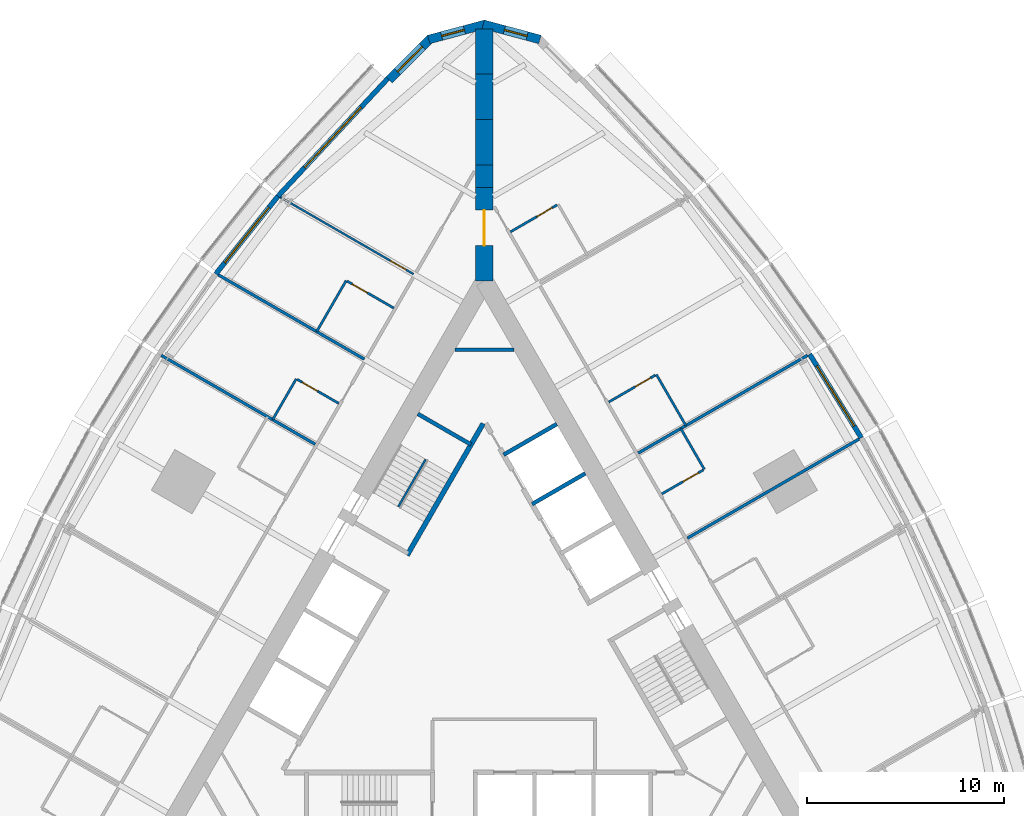
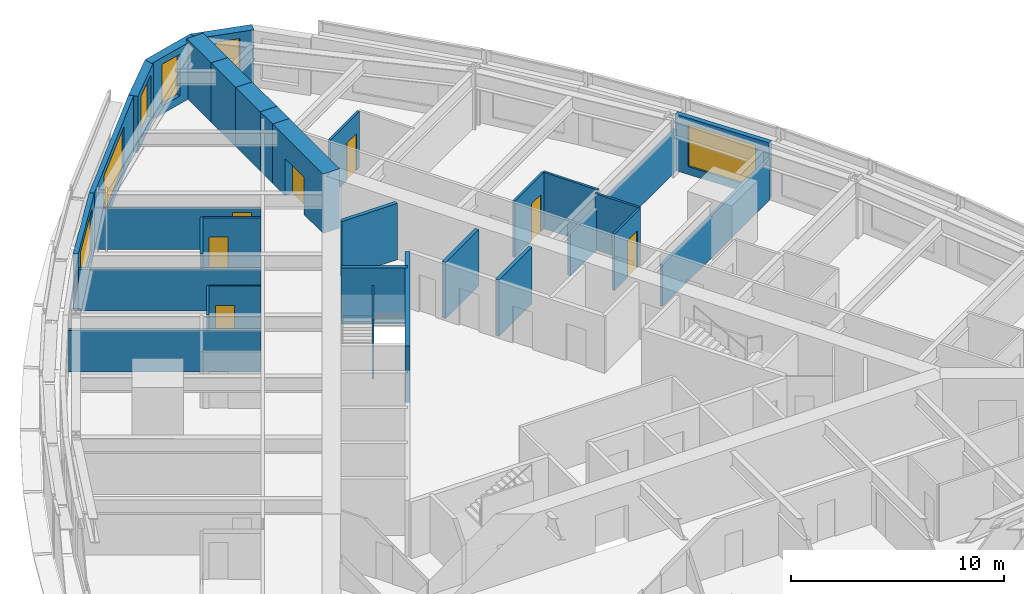
# One storey, part 12 of 14: 31 walls, 7 doors, 6 windows, 13 openings.
"""IFC4 building model written with IfcOpenShell, lengths in metres."""

from ifc_helpers import new_model, si_unit, direction, frame, frame_2d, origin, place, context, subcontext, project, spatial, polyline, rectangle, outline, extrude, material, layer, layer_set, type_object, element, fill, save


model = new_model("IFC4")

# Units and contexts
model_context = context("Model", 3, precision=1e-05, world=origin(), true_north=direction((0.0, 1.0)))
body_context = subcontext(model_context, "Body", "Model", "MODEL_VIEW")
ifc_project = project(units=[si_unit("LENGTHUNIT", "METRE"), si_unit("AREAUNIT", "SQUARE_METRE"), si_unit("VOLUMEUNIT", "CUBIC_METRE"), si_unit("PLANEANGLEUNIT", "RADIAN"), si_unit("MASSUNIT", "GRAM", prefix="KILO")], contexts=[model_context])

# Site, building, storey
site_placement = place(None, origin())
site = spatial("IfcSite", under=ifc_project, at=site_placement, CompositionType="ELEMENT")
building_placement = place(site_placement, origin())
building = spatial("IfcBuilding", under=site, at=building_placement, Name="Trikona Tower", CompositionType="ELEMENT")
storey_placement = place(building_placement, frame((0.0, 0.0, 59.10009765625)))
storey = spatial("IfcBuildingStorey", under=building, at=storey_placement, Name="L14", CompositionType="ELEMENT", Elevation=59.10009765625)

# Wall
ifc_material_1 = material(Name="Metal stud and cement board", Category="gypsum")
ifc_layer_1 = layer(ifc_material_1, 0.1201171875)
ifc_layer_set_1 = layer_set([ifc_layer_1], Name="Bathroom wall 120")
wall_type_1 = type_object("IfcWallType", Name="Bathroom wall 120", PredefinedType="PLUMBINGWALL", material=ifc_layer_set_1)
wall_1_placement = place(storey_placement, frame((11.193603515625, 9.46484375, 0.0), z_axis=(0.0, 0.0, 1.0), x_axis=(-0.500077600433, 0.865980596518, 0.0)))
element("IfcWall", 1, at=wall_1_placement, inside=storey, type_object=wall_type_1, Name="Bathroom wall 1410", PredefinedType="PLUMBINGWALL", context=body_context, shape_type="SweptSolid", body=[
    extrude(rectangle(XDim=2.39990234375, YDim=0.1201171875, at=frame_2d((1.199951171875, 0.0))), origin(), (0.0, 0.0, 1.0), 3.23486328125),
])

# Wall, opening, door
wall_2_placement = place(storey_placement, frame((9.028564453125, 8.21484375, 0.0), z_axis=(0.0, 0.0, 1.0), x_axis=(0.866023955769, 0.500002508028, 0.0)))
wall_2 = element("IfcWall", 2, at=wall_2_placement, inside=storey, type_object=wall_type_1, Name="Bathroom wall 1410", PredefinedType="PLUMBINGWALL", context=body_context, shape_type="SweptSolid", body=[
    extrude(rectangle(XDim=2.43994140625, YDim=0.1201171875, at=frame_2d((1.219970703125, 0.0))), origin(), (0.0, 0.0, 1.0), 3.23486328125),
])
opening_1_placement = place(wall_2_placement, frame((1.25, 0.0, 0.0)))
opening_1 = element("IfcOpeningElement", 3, at=opening_1_placement, cuts=wall_2, Name="Opening D2", PredefinedType="OPENING", context=body_context, shape_type="SweptSolid", body=[
    extrude(rectangle(XDim=0.89990234375, YDim=2.1298828125, at=frame_2d((0.449951171875, 1.06494140625))), frame((0.0, 0.070068359375, 0.0), z_axis=(0.0, -1.0, 0.0), x_axis=(1.0, 0.0, 0.0)), (0.0, 0.0, 1.0), 0.14013671875),
])
ifc_material_2 = material(Name="Steel door frame with solid-core timber leaf", Category="steel")
door_type_1 = type_object("IfcDoorType", Name="Bathroom door 900x2130", OperationType="SLIDING_TO_LEFT", PredefinedType="DOOR", material=ifc_material_2)
door_1_placement = place(opening_1_placement, origin())
door_1 = element("IfcDoor", 4, at=door_1_placement, inside=storey, type_object=door_type_1, Name="Bathroom door 1410", OperationType="SLIDING_TO_LEFT", OverallHeight=2.1298828125, OverallWidth=0.89990234375, PredefinedType="DOOR", context=body_context, shape_type="SweptSolid", body=[
    extrude(rectangle(XDim=0.89990234375, YDim=2.1298828125, at=frame_2d((0.449951171875, 1.06494140625))), frame((0.0, 0.02490234375, 0.0), z_axis=(0.0, -1.0, 0.0), x_axis=(1.0, 0.0, 0.0)), (0.0, 0.0, 1.0), 0.050048828125),
])
fill(opening_1, door_1)

# Wall
wall_3_placement = place(storey_placement, frame((10.25341796875, 11.693359375, 0.0), z_axis=(0.0, 0.0, 1.0), x_axis=(-0.50002537861, 0.866010750942, 0.0)))
element("IfcWall", 5, at=wall_3_placement, inside=storey, type_object=wall_type_1, Name="Bathroom wall 1411", PredefinedType="PLUMBINGWALL", context=body_context, shape_type="SweptSolid", body=[
    extrude(rectangle(XDim=2.999755859375, YDim=0.1201171875, at=frame_2d((1.5, 0.0))), origin(), (0.0, 0.0, 1.0), 3.23486328125),
])

# Wall, opening, door
wall_4_placement = place(storey_placement, frame((6.32861328125, 12.891357421875, 0.0), z_axis=(0.0, 0.0, 1.0), x_axis=(0.866035715982, 0.499982138324, 0.0)))
wall_4 = element("IfcWall", 6, at=wall_4_placement, inside=storey, type_object=wall_type_1, Name="Bathroom wall 1411", PredefinedType="PLUMBINGWALL", context=body_context, shape_type="SweptSolid", body=[
    extrude(rectangle(XDim=2.73974609375, YDim=0.1201171875, at=frame_2d((1.369873046875, 0.0))), origin(), (0.0, 0.0, 1.0), 3.23486328125),
])
opening_2_placement = place(wall_4_placement, frame((1.550048828125, 0.0, 0.0)))
opening_2 = element("IfcOpeningElement", 7, at=opening_2_placement, cuts=wall_4, Name="Opening D2", PredefinedType="OPENING", context=body_context, shape_type="SweptSolid", body=[
    extrude(rectangle(XDim=0.89990234375, YDim=2.1298828125, at=frame_2d((0.449951171875, 1.06494140625))), frame((0.0, 0.070068359375, 0.0), z_axis=(0.0, -1.0, 0.0), x_axis=(1.0, 0.0, 0.0)), (0.0, 0.0, 1.0), 0.14013671875),
])
door_2_placement = place(opening_2_placement, origin())
door_2 = element("IfcDoor", 8, at=door_2_placement, inside=storey, type_object=door_type_1, Name="Bathroom door 1411", OperationType="SLIDING_TO_LEFT", OverallHeight=2.1298828125, OverallWidth=0.89990234375, PredefinedType="DOOR", context=body_context, shape_type="SweptSolid", body=[
    extrude(rectangle(XDim=0.89990234375, YDim=2.1298828125, at=frame_2d((0.449951171875, 1.06494140625))), frame((0.0, 0.02490234375, 0.0), z_axis=(0.0, -1.0, 0.0), x_axis=(1.0, 0.0, 0.0)), (0.0, 0.0, 1.0), 0.050048828125),
])
fill(opening_2, door_2)

wall_5_placement = place(storey_placement, frame((1.32861328125, 21.551513671875, 0.0), z_axis=(0.0, 0.0, 1.0), x_axis=(0.865997131366, 0.500048966069, 0.0)))
wall_5 = element("IfcWall", 9, at=wall_5_placement, inside=storey, type_object=wall_type_1, Name="Bathroom wall 1412", PredefinedType="PLUMBINGWALL", context=body_context, shape_type="SweptSolid", body=[
    extrude(rectangle(XDim=2.739990234375, YDim=0.1201171875, at=frame_2d((1.3701171875, 0.0))), origin(), (0.0, 0.0, 1.0), 3.23486328125),
])
opening_3_placement = place(wall_5_placement, frame((1.550048828125, 0.0, 0.0)))
opening_3 = element("IfcOpeningElement", 10, at=opening_3_placement, cuts=wall_5, Name="Opening D2", PredefinedType="OPENING", context=body_context, shape_type="SweptSolid", body=[
    extrude(rectangle(XDim=0.89990234375, YDim=2.1298828125, at=frame_2d((0.449951171875, 1.06494140625))), frame((0.0, 0.070068359375, 0.0), z_axis=(0.0, -1.0, 0.0), x_axis=(1.0, 0.0, 0.0)), (0.0, 0.0, 1.0), 0.14013671875),
])
door_3_placement = place(opening_3_placement, origin())
door_3 = element("IfcDoor", 11, at=door_3_placement, inside=storey, type_object=door_type_1, Name="Bathroom door 1412", OperationType="SLIDING_TO_LEFT", OverallHeight=2.1298828125, OverallWidth=0.89990234375, PredefinedType="DOOR", context=body_context, shape_type="SweptSolid", body=[
    extrude(rectangle(XDim=0.89990234375, YDim=2.1298828125, at=frame_2d((0.449951171875, 1.06494140625))), frame((0.0, 0.02490234375, 0.0), z_axis=(0.0, -1.0, 0.0), x_axis=(1.0, 0.0, 0.0)), (0.0, 0.0, 1.0), 0.050048828125),
])
fill(opening_3, door_3)

# Wall
wall_6_placement = place(storey_placement, frame((-7.03271484375, 19.071533203125, 0.0), z_axis=(0.0, 0.0, 1.0), x_axis=(-0.499990139034, -0.866031096941, 0.0)))
element("IfcWall", 12, at=wall_6_placement, inside=storey, type_object=wall_type_1, Name="Bathroom wall 1413.1", PredefinedType="PLUMBINGWALL", context=body_context, shape_type="SweptSolid", body=[
    extrude(rectangle(XDim=3.0, YDim=0.1201171875, at=frame_2d((1.5, 0.0))), origin(), (0.0, 0.0, 1.0), 3.23486328125),
])

# Wall, opening, door
wall_7_placement = place(storey_placement, frame((-4.60791015625, 17.67138671875, 0.0), z_axis=(0.0, 0.0, 1.0), x_axis=(-0.865997131366, 0.500048966069, 0.0)))
wall_7 = element("IfcWall", 13, at=wall_7_placement, inside=storey, type_object=wall_type_1, Name="Bathroom wall 1413.1", PredefinedType="PLUMBINGWALL", context=body_context, shape_type="SweptSolid", body=[
    extrude(rectangle(XDim=2.739990234375, YDim=0.1201171875, at=frame_2d((1.3701171875, 0.0))), origin(), (0.0, 0.0, 1.0), 3.23486328125),
])
opening_4_placement = place(wall_7_placement, frame((1.550048828125, 0.0, 0.0)))
opening_4 = element("IfcOpeningElement", 14, at=opening_4_placement, cuts=wall_7, Name="Opening D2", PredefinedType="OPENING", context=body_context, shape_type="SweptSolid", body=[
    extrude(rectangle(XDim=0.89990234375, YDim=2.1298828125, at=frame_2d((0.449951171875, 1.06494140625))), frame((0.0, 0.070068359375, 0.0), z_axis=(0.0, -1.0, 0.0), x_axis=(1.0, 0.0, 0.0)), (0.0, 0.0, 1.0), 0.14013671875),
])
door_4_placement = place(opening_4_placement, origin())
door_4 = element("IfcDoor", 15, at=door_4_placement, inside=storey, type_object=door_type_1, Name="Bathroom door 1413.1", OperationType="SLIDING_TO_LEFT", OverallHeight=2.1298828125, OverallWidth=0.89990234375, PredefinedType="DOOR", context=body_context, shape_type="SweptSolid", body=[
    extrude(rectangle(XDim=0.89990234375, YDim=2.1298828125, at=frame_2d((0.449951171875, 1.06494140625))), frame((0.0, 0.02490234375, 0.0), z_axis=(0.0, -1.0, 0.0), x_axis=(1.0, 0.0, 0.0)), (0.0, 0.0, 1.0), 0.050048828125),
])
fill(opening_4, door_4)

# Wall
wall_8_placement = place(storey_placement, frame((-9.572998046875, 14.07177734375, 0.0), z_axis=(0.0, 0.0, 1.0), x_axis=(-0.500001309137, -0.866024647952, 0.0)))
element("IfcWall", 16, at=wall_8_placement, inside=storey, type_object=wall_type_1, Name="Bathroom wall 1414", PredefinedType="PLUMBINGWALL", context=body_context, shape_type="SweptSolid", body=[
    extrude(rectangle(XDim=2.39990234375, YDim=0.1201171875, at=frame_2d((1.199951171875, 0.0))), origin(), (0.0, 0.0, 1.0), 3.23486328125),
])

# Wall, opening, door
wall_9_placement = place(storey_placement, frame((-7.407958984375, 12.82177734375, 0.0), z_axis=(0.0, 0.0, 1.0), x_axis=(-0.866023955769, 0.500002508028, 0.0)))
wall_9 = element("IfcWall", 17, at=wall_9_placement, inside=storey, type_object=wall_type_1, Name="Bathroom wall 1414", PredefinedType="PLUMBINGWALL", context=body_context, shape_type="SweptSolid", body=[
    extrude(rectangle(XDim=2.43994140625, YDim=0.1201171875, at=frame_2d((1.219970703125, 0.0))), origin(), (0.0, 0.0, 1.0), 3.23486328125),
])
opening_5_placement = place(wall_9_placement, frame((1.25, 0.0, 0.0)))
opening_5 = element("IfcOpeningElement", 18, at=opening_5_placement, cuts=wall_9, Name="Opening D2", PredefinedType="OPENING", context=body_context, shape_type="SweptSolid", body=[
    extrude(rectangle(XDim=0.89990234375, YDim=2.1298828125, at=frame_2d((0.449951171875, 1.06494140625))), frame((0.0, 0.070068359375, 0.0), z_axis=(0.0, -1.0, 0.0), x_axis=(1.0, 0.0, 0.0)), (0.0, 0.0, 1.0), 0.14013671875),
])
door_5_placement = place(opening_5_placement, origin())
door_5 = element("IfcDoor", 19, at=door_5_placement, inside=storey, type_object=door_type_1, Name="Bathroom door 1414", OperationType="SLIDING_TO_LEFT", OverallHeight=2.1298828125, OverallWidth=0.89990234375, PredefinedType="DOOR", context=body_context, shape_type="SweptSolid", body=[
    extrude(rectangle(XDim=0.89990234375, YDim=2.1298828125, at=frame_2d((0.449951171875, 1.06494140625))), frame((0.0, 0.02490234375, 0.0), z_axis=(0.0, -1.0, 0.0), x_axis=(1.0, 0.0, 0.0)), (0.0, 0.0, 1.0), 0.050048828125),
])
fill(opening_5, door_5)

# Wall, opening, window
ifc_material_3 = material(Name="Brick-faced precast concrete", Category="masonry")
ifc_layer_2 = layer(ifc_material_3, 0.449951171875)
ifc_layer_set_2 = layer_set([ifc_layer_2], Name="Brick-faced corner wall 450")
wall_type_2 = type_object("IfcWallType", Name="Brick-faced corner wall 450", PredefinedType="SOLIDWALL", material=ifc_layer_set_2)
wall_10_placement = place(storey_placement, frame((2.82861328125, 31.3408203125, 0.0), z_axis=(0.0, 0.0, 1.0), x_axis=(-0.965930548995, 0.258801419081, 0.0)))
wall_10 = element("IfcWall", 20, at=wall_10_placement, inside=storey, type_object=wall_type_2, Name="External wall L14-21", PredefinedType="SOLIDWALL", context=body_context, shape_type="SweptSolid", body=[
    extrude(outline(polyline([(2.988525390625, 0.22509765625), (2.92919921875, 0.22509765625), (2.4375, 0.09326171875), (2.40234375, 0.22509765625), (0.0, 0.22509765625), (0.0, -0.22509765625), (2.988525390625, -0.22509765625), (2.988525390625, 0.22509765625)])), origin(), (0.0, 0.0, 1.0), 3.23486328125),
])
opening_6_placement = place(wall_10_placement, frame((0.676025390625, 0.0, 0.449951171875)))
opening_6 = element("IfcOpeningElement", 21, at=opening_6_placement, cuts=wall_10, Name="Opening W1224", PredefinedType="OPENING", context=body_context, shape_type="SweptSolid", body=[
    extrude(rectangle(XDim=1.199951171875, YDim=2.39990234375, at=frame_2d((0.60009765625, 1.199951171875))), frame((0.0, 0.23486328125, 0.0), z_axis=(0.0, -1.0, 0.0), x_axis=(1.0, 0.0, 0.0)), (0.0, 0.0, 1.0), 0.469970703125),
])
ifc_material_4 = material(Name="Aluminium-framed double glazing", Category="aluminium")
window_type_1 = type_object("IfcWindowType", Name="Window 1200x2400", PartitioningType="SINGLE_PANEL", PredefinedType="WINDOW", material=ifc_material_4)
window_1_placement = place(opening_6_placement, origin())
window_1 = element("IfcWindow", 22, at=window_1_placement, inside=storey, type_object=window_type_1, Name="Window 1412", OverallHeight=2.39990234375, OverallWidth=1.199951171875, PartitioningType="SINGLE_PANEL", PredefinedType="WINDOW", context=body_context, shape_type="SweptSolid", body=[
    extrude(rectangle(XDim=1.199951171875, YDim=2.39990234375, at=frame_2d((0.60009765625, 1.199951171875))), frame((0.0, 0.030029296875, 0.0), z_axis=(0.0, -1.0, 0.0), x_axis=(1.0, 0.0, 0.0)), (0.0, 0.0, 1.0), 0.06005859375),
])
fill(opening_6, window_1)

wall_11_placement = place(storey_placement, frame((0.05810546875, 32.1142578125, 0.0), z_axis=(0.0, 0.0, 1.0), x_axis=(-0.965930548995, -0.258801419081, 0.0)))
wall_11 = element("IfcWall", 23, at=wall_11_placement, inside=storey, type_object=wall_type_2, Name="External wall L14-22", PredefinedType="SOLIDWALL", context=body_context, shape_type="SweptSolid", body=[
    extrude(outline(polyline([(2.988525390625, 0.22509765625), (0.58642578125, 0.22509765625), (0.551025390625, 0.09326171875), (0.059326171875, 0.22509765625), (0.0, 0.22509765625), (0.0, -0.22509765625), (2.988525390625, -0.22509765625), (2.988525390625, 0.22509765625)])), origin(), (0.0, 0.0, 1.0), 3.23486328125),
])
opening_7_placement = place(wall_11_placement, frame((1.112548828125, 0.0, 0.449951171875)))
opening_7 = element("IfcOpeningElement", 24, at=opening_7_placement, cuts=wall_11, Name="Opening W1224", PredefinedType="OPENING", context=body_context, shape_type="SweptSolid", body=[
    extrude(rectangle(XDim=1.199951171875, YDim=2.39990234375, at=frame_2d((0.60009765625, 1.199951171875))), frame((0.0, 0.23486328125, 0.0), z_axis=(0.0, -1.0, 0.0), x_axis=(1.0, 0.0, 0.0)), (0.0, 0.0, 1.0), 0.469970703125),
])
window_2_placement = place(opening_7_placement, origin())
window_2 = element("IfcWindow", 25, at=window_2_placement, inside=storey, type_object=window_type_1, Name="Window 1413", OverallHeight=2.39990234375, OverallWidth=1.199951171875, PartitioningType="SINGLE_PANEL", PredefinedType="WINDOW", context=body_context, shape_type="SweptSolid", body=[
    extrude(rectangle(XDim=1.199951171875, YDim=2.39990234375, at=frame_2d((0.60009765625, 1.199951171875))), frame((0.0, 0.030029296875, 0.0), z_axis=(0.0, -1.0, 0.0), x_axis=(1.0, 0.0, 0.0)), (0.0, 0.0, 1.0), 0.06005859375),
])
fill(opening_7, window_2)

wall_12_placement = place(storey_placement, frame((-2.727783203125, 31.39892578125, 0.0), z_axis=(0.0, 0.0, 1.0), x_axis=(-0.707106781187, -0.707106781187, 0.0)))
wall_12 = element("IfcWall", 26, at=wall_12_placement, inside=storey, type_object=wall_type_2, Name="External wall L14-23", PredefinedType="SOLIDWALL", context=body_context, shape_type="SweptSolid", body=[
    extrude(rectangle(XDim=2.98828125, YDim=0.449951171875, at=frame_2d((1.494140625, 0.0))), origin(), (0.0, 0.0, 1.0), 3.23486328125),
])
opening_8_placement = place(wall_12_placement, frame((0.59423828125, 0.0, 0.449951171875)))
opening_8 = element("IfcOpeningElement", 27, at=opening_8_placement, cuts=wall_12, Name="Opening W1824", PredefinedType="OPENING", context=body_context, shape_type="SweptSolid", body=[
    extrude(rectangle(XDim=1.800048828125, YDim=2.39990234375, at=frame_2d((0.89990234375, 1.199951171875))), frame((0.0, 0.23486328125, 0.0), z_axis=(0.0, -1.0, 0.0), x_axis=(1.0, 0.0, 0.0)), (0.0, 0.0, 1.0), 0.469970703125),
])
ifc_material_5 = material(Name="Aluminium-framed double glazing", Category="aluminium")
window_type_2 = type_object("IfcWindowType", Name="Window 1800x2400", PartitioningType="SINGLE_PANEL", PredefinedType="WINDOW", material=ifc_material_5)
window_3_placement = place(opening_8_placement, origin())
window_3 = element("IfcWindow", 28, at=window_3_placement, inside=storey, type_object=window_type_2, Name="Window 1413", OverallHeight=2.39990234375, OverallWidth=1.800048828125, PartitioningType="SINGLE_PANEL", PredefinedType="WINDOW", context=body_context, shape_type="SweptSolid", body=[
    extrude(rectangle(XDim=1.800048828125, YDim=2.39990234375, at=frame_2d((0.89990234375, 1.199951171875))), frame((0.0, 0.030029296875, 0.0), z_axis=(0.0, -1.0, 0.0), x_axis=(1.0, 0.0, 0.0)), (0.0, 0.0, 1.0), 0.06005859375),
])
fill(opening_8, window_3)

# Wall, opening, door
ifc_material_6 = material(Name="Concrete f'c 10000 psi", Category="concrete")
ifc_layer_3 = layer(ifc_material_6, 0.89990234375)
ifc_layer_set_3 = layer_set([ifc_layer_3], Name="Buttress wall 900")
wall_type_3 = type_object("IfcWallType", Name="Buttress wall 900", PredefinedType="SHEAR", material=ifc_layer_set_3)
wall_13_placement = place(storey_placement, frame((0.0, 19.052490234375, 0.0), z_axis=(0.0, 0.0, 1.0), x_axis=(0.0, 1.0, 0.0)))
wall_13 = element("IfcWall", 29, at=wall_13_placement, inside=storey, type_object=wall_type_3, Name="Buttress wall 2", PredefinedType="SHEAR", context=body_context, shape_type="SweptSolid", body=[
    extrude(rectangle(XDim=4.74609375, YDim=0.89990234375, at=frame_2d((2.373046875, 0.0))), origin(), (0.0, 0.0, 1.0), 3.39990234375),
])
opening_9_placement = place(wall_13_placement, frame((1.800048828125, 0.0, 0.0)))
opening_9 = element("IfcOpeningElement", 30, at=opening_9_placement, cuts=wall_13, Name="Opening D10", PredefinedType="OPENING", context=body_context, shape_type="SweptSolid", body=[
    extrude(rectangle(XDim=1.800048828125, YDim=2.1298828125, at=frame_2d((0.89990234375, 1.06494140625))), frame((0.0, 0.4599609375, 0.0), z_axis=(0.0, -1.0, 0.0), x_axis=(1.0, 0.0, 0.0)), (0.0, 0.0, 1.0), 0.919921875),
])
ifc_material_7 = material(Name="Hollow metal door and frame", Category="steel")
door_type_2 = type_object("IfcDoorType", Name="Cross-corridor door pair 1800x2130", OperationType="DOUBLE_DOOR_DOUBLE_SWING", PredefinedType="DOOR", material=ifc_material_7)
door_6_placement = place(opening_9_placement, origin())
door_6 = element("IfcDoor", 31, at=door_6_placement, inside=storey, type_object=door_type_2, Name="Cross-corridor door 2", OperationType="DOUBLE_DOOR_DOUBLE_SWING", OverallHeight=2.1298828125, OverallWidth=1.800048828125, PredefinedType="DOOR", context=body_context, shape_type="SweptSolid", body=[
    extrude(rectangle(XDim=1.800048828125, YDim=2.1298828125, at=frame_2d((0.89990234375, 1.06494140625))), frame((0.0, 0.02490234375, 0.0), z_axis=(0.0, -1.0, 0.0), x_axis=(1.0, 0.0, 0.0)), (0.0, 0.0, 1.0), 0.050048828125),
])
fill(opening_9, door_6)

# Walls
wall_14_placement = place(storey_placement, frame((0.0, 23.798583984375, 0.0), z_axis=(0.0, 0.0, 1.0), x_axis=(0.0, 1.0, 0.0)))
element("IfcWall", 32, at=wall_14_placement, inside=storey, type_object=wall_type_3, Name="Buttress wall 2 part 2", PredefinedType="SHEAR", context=body_context, shape_type="SweptSolid", body=[
    extrude(rectangle(XDim=1.15478515625, YDim=0.89990234375, at=frame_2d((0.577392578125, 0.0))), origin(), (0.0, 0.0, 1.0), 3.39990234375),
])
wall_15_placement = place(storey_placement, frame((0.0, 24.953369140625, 0.0), z_axis=(0.0, 0.0, 1.0), x_axis=(0.0, 1.0, 0.0)))
element("IfcWall", 33, at=wall_15_placement, inside=storey, type_object=wall_type_3, Name="Buttress wall 2 part 3", PredefinedType="SHEAR", context=body_context, shape_type="SweptSolid", body=[
    extrude(rectangle(XDim=2.309326171875, YDim=0.89990234375, at=frame_2d((1.15478515625, 0.0))), origin(), (0.0, 0.0, 1.0), 3.39990234375),
])
wall_16_placement = place(storey_placement, frame((0.0, 27.2626953125, 0.0), z_axis=(0.0, 0.0, 1.0), x_axis=(0.0, 1.0, 0.0)))
element("IfcWall", 34, at=wall_16_placement, inside=storey, type_object=wall_type_3, Name="Buttress wall 2 part 4", PredefinedType="SHEAR", context=body_context, shape_type="SweptSolid", body=[
    extrude(rectangle(XDim=2.3095703125, YDim=0.89990234375, at=frame_2d((1.15478515625, 0.0))), origin(), (0.0, 0.0, 1.0), 3.39990234375),
])
wall_17_placement = place(storey_placement, frame((0.0, 29.572265625, 0.0), z_axis=(0.0, 0.0, 1.0), x_axis=(0.0, 1.0, 0.0)))
element("IfcWall", 35, at=wall_17_placement, inside=storey, type_object=wall_type_3, Name="Buttress wall 2 part 5", PredefinedType="SHEAR", context=body_context, shape_type="SweptSolid", body=[
    extrude(rectangle(XDim=2.309326171875, YDim=0.89990234375, at=frame_2d((1.15478515625, 0.0))), origin(), (0.0, 0.0, 1.0), 3.39990234375),
])
ifc_material_8 = material(Name="Concrete f'c 8000 psi", Category="concrete")
ifc_layer_4 = layer(ifc_material_8, 0.25)
ifc_layer_set_4 = layer_set([ifc_layer_4], Name="Hub wall 250")
wall_type_4 = type_object("IfcWallType", Name="Hub wall 250", PredefinedType="SOLIDWALL", material=ifc_layer_set_4)
wall_18_placement = place(storey_placement, frame((-0.0625, 11.794189453125, 0.0), z_axis=(0.0, 0.0, 1.0), x_axis=(-0.500006680225, -0.86602154692, 0.0)))
element("IfcWall", 36, at=wall_18_placement, inside=storey, type_object=wall_type_4, Name="Lift lobby wall C1", PredefinedType="SOLIDWALL", context=body_context, shape_type="SweptSolid", body=[
    extrude(rectangle(XDim=7.73291015625, YDim=0.25, at=frame_2d((3.866455078125, 0.0))), origin(), (0.0, 0.0, 1.0), 3.23486328125),
])

# Wall, opening, window
ifc_material_9 = material(Name="Insulated precast concrete spandrel panel", Category="concrete")
ifc_layer_5 = layer(ifc_material_9, 0.25)
ifc_layer_set_5 = layer_set([ifc_layer_5], Name="Inner skin wall 250")
wall_type_5 = type_object("IfcWallType", Name="Inner skin wall 250", PredefinedType="STANDARD", material=ifc_layer_set_5)
wall_19_placement = place(storey_placement, frame((19.182373046875, 11.070556640625, 0.0), z_axis=(0.0, 0.0, 1.0), x_axis=(-0.526132807704, 0.850402415717, 0.0)))
wall_19 = element("IfcWall", 37, at=wall_19_placement, inside=storey, type_object=wall_type_5, Name="External wall L14-16", PredefinedType="STANDARD", context=body_context, shape_type="SweptSolid", body=[
    extrude(rectangle(XDim=5.002197265625, YDim=0.25, at=frame_2d((2.5009765625, 0.0))), origin(), (0.0, 0.0, 1.0), 3.23486328125),
])
opening_10_placement = place(wall_19_placement, frame((0.701171875, 0.0, 0.449951171875)))
opening_10 = element("IfcOpeningElement", 38, at=opening_10_placement, cuts=wall_19, Name="Opening W3624", PredefinedType="OPENING", context=body_context, shape_type="SweptSolid", body=[
    extrude(rectangle(XDim=3.60009765625, YDim=2.39990234375, at=frame_2d((1.800048828125, 1.199951171875))), frame((0.0, 0.135009765625, 0.0), z_axis=(0.0, -1.0, 0.0), x_axis=(1.0, 0.0, 0.0)), (0.0, 0.0, 1.0), 0.27001953125),
])
ifc_material_10 = material(Name="Aluminium-framed double glazing", Category="aluminium")
window_type_3 = type_object("IfcWindowType", Name="Window 3600x2400", PartitioningType="SINGLE_PANEL", PredefinedType="WINDOW", material=ifc_material_10)
window_4_placement = place(opening_10_placement, origin())
window_4 = element("IfcWindow", 39, at=window_4_placement, inside=storey, type_object=window_type_3, Name="Window 1410", OverallHeight=2.39990234375, OverallWidth=3.60009765625, PartitioningType="SINGLE_PANEL", PredefinedType="WINDOW", context=body_context, shape_type="SweptSolid", body=[
    extrude(rectangle(XDim=3.60009765625, YDim=2.39990234375, at=frame_2d((1.800048828125, 1.199951171875))), frame((0.0, 0.030029296875, 0.0), z_axis=(0.0, -1.0, 0.0), x_axis=(1.0, 0.0, 0.0)), (0.0, 0.0, 1.0), 0.06005859375),
])
fill(opening_10, window_4)

wall_20_placement = place(storey_placement, frame((-4.90869140625, 29.359619140625, 0.0), z_axis=(0.0, 0.0, 1.0), x_axis=(-0.682289646561, -0.731081964075, 0.0)))
wall_20 = element("IfcWall", 40, at=wall_20_placement, inside=storey, type_object=wall_type_5, Name="External wall L14-24", PredefinedType="STANDARD", context=body_context, shape_type="SweptSolid", body=[
    extrude(rectangle(XDim=8.2109375, YDim=0.25, at=frame_2d((4.10546875, 0.0))), origin(), (0.0, 0.0, 1.0), 3.23486328125),
])
opening_11_placement = place(wall_20_placement, frame((2.005615234375, 0.0, 0.449951171875)))
opening_11 = element("IfcOpeningElement", 41, at=opening_11_placement, cuts=wall_20, Name="Opening W4224", PredefinedType="OPENING", context=body_context, shape_type="SweptSolid", body=[
    extrude(rectangle(XDim=4.199951171875, YDim=2.39990234375, at=frame_2d((2.10009765625, 1.199951171875))), frame((0.0, 0.135009765625, 0.0), z_axis=(0.0, -1.0, 0.0), x_axis=(1.0, 0.0, 0.0)), (0.0, 0.0, 1.0), 0.27001953125),
])
ifc_material_11 = material(Name="Aluminium-framed double glazing", Category="aluminium")
window_type_4 = type_object("IfcWindowType", Name="Window 4200x2400", PartitioningType="SINGLE_PANEL", PredefinedType="WINDOW", material=ifc_material_11)
window_5_placement = place(opening_11_placement, origin())
window_5 = element("IfcWindow", 42, at=window_5_placement, inside=storey, type_object=window_type_4, Name="Window 1413", OverallHeight=2.39990234375, OverallWidth=4.199951171875, PartitioningType="SINGLE_PANEL", PredefinedType="WINDOW", context=body_context, shape_type="SweptSolid", body=[
    extrude(rectangle(XDim=4.199951171875, YDim=2.39990234375, at=frame_2d((2.10009765625, 1.199951171875))), frame((0.0, 0.030029296875, 0.0), z_axis=(0.0, -1.0, 0.0), x_axis=(1.0, 0.0, 0.0)), (0.0, 0.0, 1.0), 0.06005859375),
])
fill(opening_11, window_5)

wall_21_placement = place(storey_placement, frame((-10.5048828125, 23.36376953125, 0.0), z_axis=(0.0, 0.0, 1.0), x_axis=(-0.624594965756, -0.780948864364, 0.0)))
wall_21 = element("IfcWall", 43, at=wall_21_placement, inside=storey, type_object=wall_type_5, Name="External wall L14-25", PredefinedType="STANDARD", context=body_context, shape_type="SweptSolid", body=[
    extrude(rectangle(XDim=5.0576171875, YDim=0.25, at=frame_2d((2.52880859375, 0.0))), origin(), (0.0, 0.0, 1.0), 3.23486328125),
])
opening_12_placement = place(wall_21_placement, frame((0.728759765625, 0.0, 0.449951171875)))
opening_12 = element("IfcOpeningElement", 44, at=opening_12_placement, cuts=wall_21, Name="Opening W3624", PredefinedType="OPENING", context=body_context, shape_type="SweptSolid", body=[
    extrude(rectangle(XDim=3.60009765625, YDim=2.39990234375, at=frame_2d((1.800048828125, 1.199951171875))), frame((0.0, 0.135009765625, 0.0), z_axis=(0.0, -1.0, 0.0), x_axis=(1.0, 0.0, 0.0)), (0.0, 0.0, 1.0), 0.27001953125),
])
window_6_placement = place(opening_12_placement, origin())
window_6 = element("IfcWindow", 45, at=window_6_placement, inside=storey, type_object=window_type_3, Name="Window 1413.1", OverallHeight=2.39990234375, OverallWidth=3.60009765625, PartitioningType="SINGLE_PANEL", PredefinedType="WINDOW", context=body_context, shape_type="SweptSolid", body=[
    extrude(rectangle(XDim=3.60009765625, YDim=2.39990234375, at=frame_2d((1.800048828125, 1.199951171875))), frame((0.0, 0.030029296875, 0.0), z_axis=(0.0, -1.0, 0.0), x_axis=(1.0, 0.0, 0.0)), (0.0, 0.0, 1.0), 0.06005859375),
])
fill(opening_12, window_6)

# Walls
ifc_material_12 = material(Name="Metal stud and gypsum board, 1-hour acoustic", Category="gypsum")
ifc_layer_6 = layer(ifc_material_12, 0.14990234375)
ifc_layer_set_6 = layer_set([ifc_layer_6], Name="Party wall 150")
wall_type_6 = type_object("IfcWallType", Name="Party wall 150", PredefinedType="PARTITIONING", material=ifc_layer_set_6)
wall_22_placement = place(storey_placement, frame((10.32861328125, 5.963134765625, 0.0), z_axis=(0.0, 0.0, 1.0), x_axis=(0.866021688545, 0.500006434927, 0.0)))
element("IfcWall", 46, at=wall_22_placement, inside=storey, type_object=wall_type_6, Name="Partition L14 F2 u0", PredefinedType="PARTITIONING", context=body_context, shape_type="SweptSolid", body=[
    extrude(rectangle(XDim=10.095947265625, YDim=0.14990234375, at=frame_2d((5.0478515625, 0.0))), origin(), (0.0, 0.0, 1.0), 2.38916015625),
])
wall_23_placement = place(storey_placement, frame((7.82861328125, 10.293212890625, 0.0), z_axis=(0.0, 0.0, 1.0), x_axis=(0.866016302457, 0.50001576363, 0.0)))
element("IfcWall", 47, at=wall_23_placement, inside=storey, type_object=wall_type_6, Name="Partition L14 F2 u5", PredefinedType="PARTITIONING", context=body_context, shape_type="SweptSolid", body=[
    extrude(rectangle(XDim=9.943115234375, YDim=0.14990234375, at=frame_2d((4.9716796875, 0.0))), origin(), (0.0, 0.0, 1.0), 2.38916015625),
])
wall_24_placement = place(storey_placement, frame((-6.10791015625, 15.073486328125, 0.0), z_axis=(0.0, 0.0, 1.0), x_axis=(-0.866031196456, 0.499989966665, 0.0)))
element("IfcWall", 48, at=wall_24_placement, inside=storey, type_object=wall_type_6, Name="Partition L14 F3 u-10", PredefinedType="PARTITIONING", context=body_context, shape_type="SweptSolid", body=[
    extrude(rectangle(XDim=8.584716796875, YDim=0.14990234375, at=frame_2d((4.29248046875, 0.0))), origin(), (0.0, 0.0, 1.0), 2.38916015625),
])
wall_25_placement = place(storey_placement, frame((-8.60791015625, 10.743408203125, 0.0), z_axis=(0.0, 0.0, 1.0), x_axis=(-0.866028232062, 0.499995101247, 0.0)))
element("IfcWall", 49, at=wall_25_placement, inside=storey, type_object=wall_type_6, Name="Partition L14 F3 u-5", PredefinedType="PARTITIONING", context=body_context, shape_type="SweptSolid", body=[
    extrude(rectangle(XDim=9.04296875, YDim=0.14990234375, at=frame_2d((4.521484375, 0.0))), origin(), (0.0, 0.0, 1.0), 2.38916015625),
])
ifc_material_13 = material(Name="Concrete f'c 8000 psi", Category="concrete")
ifc_layer_7 = layer(ifc_material_13, 0.199951171875)
ifc_layer_set_7 = layer_set([ifc_layer_7], Name="Shaft wall 200")
wall_type_7 = type_object("IfcWallType", Name="Shaft wall 200", PredefinedType="SOLIDWALL", material=ifc_layer_set_7)
for number, where, z_axis, x_axis, name in (
    (50, (2.428955078125, 7.695556640625, 0.0), (0.0, 0.0, 1.0), (0.866022959057, 0.500004234368, 0.0), "Shaft wall B5"),
    (51, (0.97900390625, 10.20703125, 0.0), (0.0, 0.0, 1.0), (0.866022959057, 0.500004234368, 0.0), "Shaft wall B6"),
):
    element("IfcWall", number, at=place(storey_placement, frame(where, z_axis=z_axis, x_axis=x_axis)), inside=storey, type_object=wall_type_7, Name=name, PredefinedType="SOLIDWALL", context=body_context, shape_type="SweptSolid", body=[
        extrude(rectangle(XDim=3.125, YDim=0.199951171875, at=frame_2d((1.5625, 0.0))), origin(), (0.0, 0.0, 1.0), 3.23486328125),
    ])
wall_26_placement = place(storey_placement, frame((-1.501220703125, 15.552490234375, 0.0), z_axis=(0.0, 0.0, 1.0), x_axis=(1.0, 0.0, 0.0)))
element("IfcWall", 52, at=wall_26_placement, inside=storey, type_object=wall_type_7, Name="Riser wall L14-RS2", PredefinedType="SOLIDWALL", context=body_context, shape_type="SweptSolid", body=[
    extrude(rectangle(XDim=3.00244140625, YDim=0.199951171875, at=frame_2d((1.501220703125, 0.0))), origin(), (0.0, 0.0, 1.0), 3.23486328125),
])
ifc_material_14 = material(Name="Concrete f'c 8000 psi", Category="concrete")
ifc_layer_8 = layer(ifc_material_14, 0.199951171875)
ifc_layer_set_8 = layer_set([ifc_layer_8], Name="Shaft wall 200 load-bearing")
wall_type_8 = type_object("IfcWallType", Name="Shaft wall 200 load-bearing", PredefinedType="SOLIDWALL", material=ifc_layer_set_8)
wall_27_placement = place(storey_placement, frame((-0.678955078125, 10.7265625, 0.0), z_axis=(0.0, 0.0, 1.0), x_axis=(-0.866022959057, 0.500004234368, 0.0)))
element("IfcWall", 53, at=wall_27_placement, inside=storey, type_object=wall_type_8, Name="Shaft wall C1", PredefinedType="SOLIDWALL", context=body_context, shape_type="SweptSolid", body=[
    extrude(rectangle(XDim=3.125, YDim=0.199951171875, at=frame_2d((1.5625, 0.0))), origin(), (0.0, 0.0, 1.0), 3.23486328125),
])
ifc_material_15 = material(Name="Concrete f'c 5000 psi", Category="concrete")
ifc_layer_9 = layer(ifc_material_15, 0.10009765625)
ifc_layer_set_9 = layer_set([ifc_layer_9], Name="Stair spine wall 100")
wall_type_9 = type_object("IfcWallType", Name="Stair spine wall 100", PredefinedType="SOLIDWALL", material=ifc_layer_set_9)
wall_28_placement = place(storey_placement, frame((-2.98779296875, 9.9775390625, 0.0), z_axis=(0.0, 0.0, 1.0), x_axis=(-0.499992232847, -0.866029888106, 0.0)))
element("IfcWall", 54, at=wall_28_placement, inside=storey, type_object=wall_type_9, Name="Stair C spine wall L14", PredefinedType="SOLIDWALL", context=body_context, shape_type="SweptSolid", body=[
    extrude(rectangle(XDim=2.7939453125, YDim=0.10009765625, at=frame_2d((1.39697265625, 0.0))), origin(), (0.0, 0.0, 1.0), 3.39990234375),
])

# Wall, opening, door
ifc_material_16 = material(Name="Metal stud and gypsum board, acoustic", Category="gypsum")
ifc_layer_10 = layer(ifc_material_16, 0.10009765625)
ifc_layer_set_10 = layer_set([ifc_layer_10], Name="Suite partition 100")
wall_type_10 = type_object("IfcWallType", Name="Suite partition 100", PredefinedType="PARTITIONING", material=ifc_layer_set_10)
wall_29_placement = place(storey_placement, frame((-3.60791015625, 19.403564453125, 0.0), z_axis=(0.0, 0.0, 1.0), x_axis=(-0.866021300503, 0.500007107024, 0.0)))
wall_29 = element("IfcWall", 55, at=wall_29_placement, inside=storey, type_object=wall_type_10, Name="Suite partition L14 F3 u-15", PredefinedType="PARTITIONING", context=body_context, shape_type="SweptSolid", body=[
    extrude(rectangle(XDim=7.8203125, YDim=0.10009765625, at=frame_2d((3.91015625, 0.0))), origin(), (0.0, 0.0, 1.0), 2.38916015625),
])
opening_13_placement = place(wall_29_placement, frame((0.449951171875, 0.0, 0.0)))
opening_13 = element("IfcOpeningElement", 56, at=opening_13_placement, cuts=wall_29, Name="Opening D13", PredefinedType="OPENING", context=body_context, shape_type="SweptSolid", body=[
    extrude(rectangle(XDim=0.89990234375, YDim=2.1298828125, at=frame_2d((0.449951171875, 1.06494140625))), frame((0.0, 0.06005859375, 0.0), z_axis=(0.0, -1.0, 0.0), x_axis=(1.0, 0.0, 0.0)), (0.0, 0.0, 1.0), 0.1201171875),
])
ifc_material_17 = material(Name="Steel door frame with solid-core timber leaf", Category="steel")
door_type_3 = type_object("IfcDoorType", Name="Suite door 900x2130", OperationType="SINGLE_SWING_LEFT", PredefinedType="DOOR", material=ifc_material_17)
door_7_placement = place(opening_13_placement, origin())
door_7 = element("IfcDoor", 57, at=door_7_placement, inside=storey, type_object=door_type_3, Name="Suite door 1413", OperationType="SINGLE_SWING_LEFT", OverallHeight=2.1298828125, OverallWidth=0.89990234375, PredefinedType="DOOR", context=body_context, shape_type="SweptSolid", body=[
    extrude(rectangle(XDim=0.89990234375, YDim=2.1298828125, at=frame_2d((0.449951171875, 1.06494140625))), frame((0.0, 0.02490234375, 0.0), z_axis=(0.0, -1.0, 0.0), x_axis=(1.0, 0.0, 0.0)), (0.0, 0.0, 1.0), 0.050048828125),
])
fill(opening_13, door_7)

save(model, "model.ifc")
